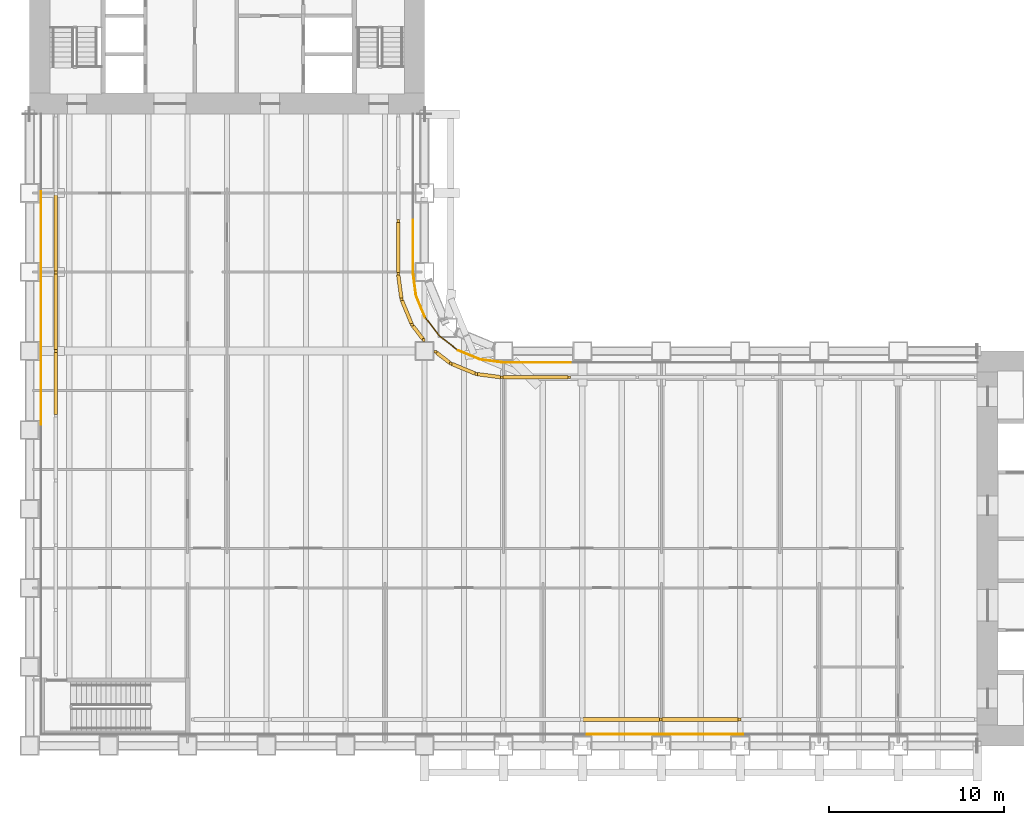
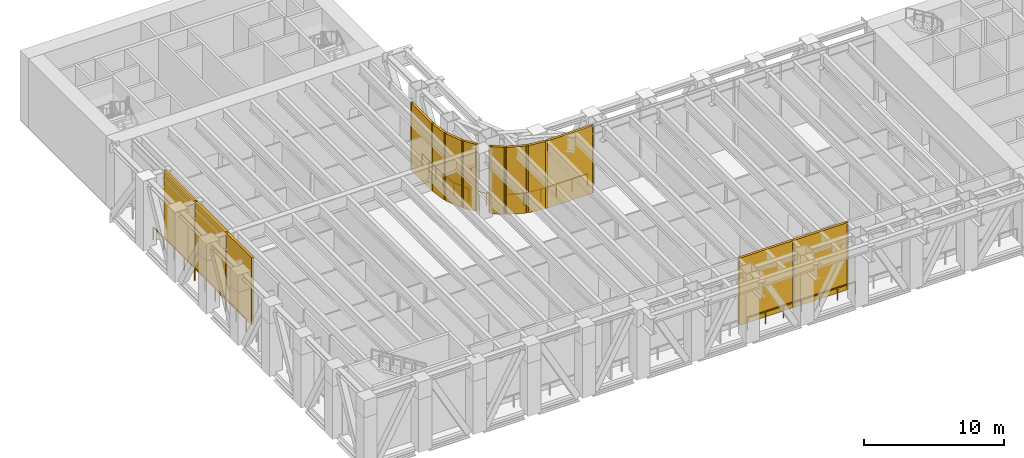
# One storey, part 15 of 19: 27 shading devices, 13 railings.
"""IFC4 building model written with IfcOpenShell, lengths in metres."""

from ifc_helpers import new_model, si_unit, direction, frame, origin, origin_2d, place, context, subcontext, project, spatial, rectangle, extrude, material, layer, layer_set, type_object, element, save


model = new_model("IFC4")

# Units and contexts
model_context = context("Model", 3, precision=1e-05, world=origin(), true_north=direction((0.0, 1.0)))
body_context = subcontext(model_context, "Body", "Model", "MODEL_VIEW")
ifc_project = project(units=[si_unit("LENGTHUNIT", "METRE"), si_unit("AREAUNIT", "SQUARE_METRE"), si_unit("VOLUMEUNIT", "CUBIC_METRE"), si_unit("PLANEANGLEUNIT", "RADIAN"), si_unit("MASSUNIT", "GRAM", prefix="KILO")], contexts=[model_context])

# Site, building, storey
site_placement = place(None, origin())
site = spatial("IfcSite", under=ifc_project, at=site_placement, CompositionType="ELEMENT")
building_placement = place(site_placement, origin())
building = spatial("IfcBuilding", under=site, at=building_placement, Name="Sennacour Bend Tower", CompositionType="ELEMENT")
storey_placement = place(building_placement, frame((0.0, 0.0, 77.0)))
storey = spatial("IfcBuildingStorey", under=building, at=storey_placement, Name="L17", CompositionType="ELEMENT", Elevation=77.0)

# Railings
ifc_material_1 = material(Name="Stainless steel 316", Category="steel")
railing_type = type_object("IfcRailingType", Name="GUARD 1100", PredefinedType="GUARDRAIL", material=ifc_material_1)
railing_1_placement = place(storey_placement, frame((21.85009765625, 29.97119140625, 0.0)))
element("IfcRailing", 1, at=railing_1_placement, inside=storey, type_object=railing_type, Name="Guard L17", PredefinedType="GUARDRAIL", context=body_context, shape_type="SweptSolid", body=[
    extrude(rectangle(XDim=0.048095703125, YDim=0.048095703125, at=origin_2d()), frame((0.0, 0.0, 1.076171875), z_axis=(0.0, -1.0, 0.0), x_axis=(1.0, 0.0, 0.0)), (0.0, 0.0, 1.0), 3.013671875),
    extrude(rectangle(XDim=0.0419921875, YDim=0.0419921875, at=origin_2d()), origin(), (0.0, 0.0, 1.0), 1.052001953125),
    extrude(rectangle(XDim=0.0419921875, YDim=0.0419921875, at=origin_2d()), frame((0.0, -1.004638671875, 0.0)), (0.0, 0.0, 1.0), 1.052001953125),
    extrude(rectangle(XDim=0.0419921875, YDim=0.0419921875, at=origin_2d()), frame((0.0, -2.009033203125, 0.0)), (0.0, 0.0, 1.0), 1.052001953125),
    extrude(rectangle(XDim=0.0419921875, YDim=0.0419921875, at=origin_2d()), frame((0.0, -3.013671875, 0.0)), (0.0, 0.0, 1.0), 1.052001953125),
])
railing_2_placement = place(storey_placement, frame((21.85009765625, 26.95751953125, 0.0)))
element("IfcRailing", 2, at=railing_2_placement, inside=storey, type_object=railing_type, Name="Guard L17", PredefinedType="GUARDRAIL", context=body_context, shape_type="SweptSolid", body=[
    extrude(rectangle(XDim=0.048095703125, YDim=0.048095703125, at=origin_2d()), frame((0.0, 0.0, 1.076171875), z_axis=(0.130396355713, -0.991461946026, 0.0), x_axis=(0.991461946026, 0.130396355713, 0.0)), (0.0, 0.0, 1.0), 1.30322265625),
    extrude(rectangle(XDim=0.0419921875, YDim=0.0419921875, at=origin_2d()), origin(), (0.0, 0.0, 1.0), 1.052001953125),
    extrude(rectangle(XDim=0.0419921875, YDim=0.0419921875, at=origin_2d()), frame((0.169921875, -1.2919921875, 0.0)), (0.0, 0.0, 1.0), 1.052001953125),
])
railing_3_placement = place(storey_placement, frame((22.02001953125, 25.66552734375, 0.0)))
element("IfcRailing", 3, at=railing_3_placement, inside=storey, type_object=railing_type, Name="Guard L17", PredefinedType="GUARDRAIL", context=body_context, shape_type="SweptSolid", body=[
    extrude(rectangle(XDim=0.048095703125, YDim=0.048095703125, at=origin_2d()), frame((0.0, 0.0, 1.076171875), z_axis=(0.382746963077, -0.923853214669, 0.0), x_axis=(0.923853214669, 0.382746963077, 0.0)), (0.0, 0.0, 1.0), 1.345947265625),
    extrude(rectangle(XDim=0.0419921875, YDim=0.0419921875, at=origin_2d()), origin(), (0.0, 0.0, 1.0), 1.052001953125),
    extrude(rectangle(XDim=0.0419921875, YDim=0.0419921875, at=origin_2d()), frame((0.51513671875, -1.243408203125, 0.0)), (0.0, 0.0, 1.0), 1.052001953125),
])
railing_4_placement = place(storey_placement, frame((22.53515625, 24.422119140625, 0.0)))
element("IfcRailing", 4, at=railing_4_placement, inside=storey, type_object=railing_type, Name="Guard L17", PredefinedType="GUARDRAIL", context=body_context, shape_type="SweptSolid", body=[
    extrude(rectangle(XDim=0.048095703125, YDim=0.048095703125, at=origin_2d()), frame((0.0, 0.0, 1.076171875), z_axis=(0.608816130036, -0.793311363721, 0.0), x_axis=(0.793311363721, 0.608816130036, 0.0)), (0.0, 0.0, 1.0), 1.345703125),
    extrude(rectangle(XDim=0.0419921875, YDim=0.0419921875, at=origin_2d()), origin(), (0.0, 0.0, 1.0), 1.052001953125),
    extrude(rectangle(XDim=0.0419921875, YDim=0.0419921875, at=origin_2d()), frame((0.8193359375, -1.067626953125, 0.0)), (0.0, 0.0, 1.0), 1.052001953125),
])
railing_5_placement = place(storey_placement, frame((23.3544921875, 23.3544921875, 0.0)))
element("IfcRailing", 5, at=railing_5_placement, inside=storey, type_object=railing_type, Name="Guard L17", PredefinedType="GUARDRAIL", context=body_context, shape_type="SweptSolid", body=[
    extrude(rectangle(XDim=0.048095703125, YDim=0.048095703125, at=origin_2d()), frame((0.0, 0.0, 1.076171875), z_axis=(0.793311363721, -0.608816130036, 0.0), x_axis=(0.608816130036, 0.793311363721, 0.0)), (0.0, 0.0, 1.0), 1.345703125),
    extrude(rectangle(XDim=0.0419921875, YDim=0.0419921875, at=origin_2d()), origin(), (0.0, 0.0, 1.0), 1.052001953125),
    extrude(rectangle(XDim=0.0419921875, YDim=0.0419921875, at=origin_2d()), frame((1.067626953125, -0.8193359375, 0.0)), (0.0, 0.0, 1.0), 1.052001953125),
])
railing_6_placement = place(storey_placement, frame((24.422119140625, 22.53515625, 0.0)))
element("IfcRailing", 6, at=railing_6_placement, inside=storey, type_object=railing_type, Name="Guard L17", PredefinedType="GUARDRAIL", context=body_context, shape_type="SweptSolid", body=[
    extrude(rectangle(XDim=0.048095703125, YDim=0.048095703125, at=origin_2d()), frame((0.0, 0.0, 1.076171875), z_axis=(0.923853214669, -0.382746963077, 0.0), x_axis=(0.382746963077, 0.923853214669, 0.0)), (0.0, 0.0, 1.0), 1.345947265625),
    extrude(rectangle(XDim=0.0419921875, YDim=0.0419921875, at=origin_2d()), origin(), (0.0, 0.0, 1.0), 1.052001953125),
    extrude(rectangle(XDim=0.0419921875, YDim=0.0419921875, at=origin_2d()), frame((1.243408203125, -0.51513671875, 0.0)), (0.0, 0.0, 1.0), 1.052001953125),
])
railing_7_placement = place(storey_placement, frame((25.66552734375, 22.02001953125, 0.0)))
element("IfcRailing", 7, at=railing_7_placement, inside=storey, type_object=railing_type, Name="Guard L17", PredefinedType="GUARDRAIL", context=body_context, shape_type="SweptSolid", body=[
    extrude(rectangle(XDim=0.048095703125, YDim=0.048095703125, at=origin_2d()), frame((0.0, 0.0, 1.076171875), z_axis=(0.991461946026, -0.130396355713, 0.0), x_axis=(0.130396355713, 0.991461946026, 0.0)), (0.0, 0.0, 1.0), 1.30322265625),
    extrude(rectangle(XDim=0.0419921875, YDim=0.0419921875, at=origin_2d()), origin(), (0.0, 0.0, 1.0), 1.052001953125),
    extrude(rectangle(XDim=0.0419921875, YDim=0.0419921875, at=origin_2d()), frame((1.2919921875, -0.169921875, 0.0)), (0.0, 0.0, 1.0), 1.052001953125),
])
railing_8_placement = place(storey_placement, frame((26.95751953125, 21.85009765625, 0.0)))
element("IfcRailing", 8, at=railing_8_placement, inside=storey, type_object=railing_type, Name="Guard L17", PredefinedType="GUARDRAIL", context=body_context, shape_type="SweptSolid", body=[
    extrude(rectangle(XDim=0.048095703125, YDim=0.048095703125, at=origin_2d()), frame((0.0, 0.0, 1.076171875), z_axis=(1.0, 0.0, 0.0), x_axis=(0.0, 1.0, 0.0)), (0.0, 0.0, 1.0), 3.863037109375),
    extrude(rectangle(XDim=0.0419921875, YDim=0.0419921875, at=origin_2d()), origin(), (0.0, 0.0, 1.0), 1.052001953125),
    extrude(rectangle(XDim=0.0419921875, YDim=0.0419921875, at=origin_2d()), frame((1.28759765625, 0.0, 0.0)), (0.0, 0.0, 1.0), 1.052001953125),
    extrude(rectangle(XDim=0.0419921875, YDim=0.0419921875, at=origin_2d()), frame((2.575439453125, 0.0, 0.0)), (0.0, 0.0, 1.0), 1.052001953125),
    extrude(rectangle(XDim=0.0419921875, YDim=0.0419921875, at=origin_2d()), frame((3.863037109375, 0.0, 0.0)), (0.0, 0.0, 1.0), 1.052001953125),
])
railing_9_placement = place(storey_placement, frame((40.66162109375, 0.64990234375, 0.0)))
element("IfcRailing", 9, at=railing_9_placement, inside=storey, type_object=railing_type, Name="Guard L17", PredefinedType="GUARDRAIL", context=body_context, shape_type="SweptSolid", body=[
    extrude(rectangle(XDim=0.048095703125, YDim=0.048095703125, at=origin_2d()), frame((0.0, 0.0, 1.076171875), z_axis=(-1.0, 0.0, 0.0), x_axis=(0.0, -1.0, 0.0)), (0.0, 0.0, 1.0), 4.445556640625),
    extrude(rectangle(XDim=0.0419921875, YDim=0.0419921875, at=origin_2d()), origin(), (0.0, 0.0, 1.0), 1.052001953125),
    extrude(rectangle(XDim=0.0419921875, YDim=0.0419921875, at=origin_2d()), frame((-1.48193359375, 0.0, 0.0)), (0.0, 0.0, 1.0), 1.052001953125),
    extrude(rectangle(XDim=0.0419921875, YDim=0.0419921875, at=origin_2d()), frame((-2.963623046875, 0.0, 0.0)), (0.0, 0.0, 1.0), 1.052001953125),
    extrude(rectangle(XDim=0.0419921875, YDim=0.0419921875, at=origin_2d()), frame((-4.445556640625, 0.0, 0.0)), (0.0, 0.0, 1.0), 1.052001953125),
])
railing_10_placement = place(storey_placement, frame((36.216064453125, 0.64990234375, 0.0)))
element("IfcRailing", 10, at=railing_10_placement, inside=storey, type_object=railing_type, Name="Guard L17", PredefinedType="GUARDRAIL", context=body_context, shape_type="SweptSolid", body=[
    extrude(rectangle(XDim=0.048095703125, YDim=0.048095703125, at=origin_2d()), frame((0.0, 0.0, 1.076171875), z_axis=(-1.0, 0.0, 0.0), x_axis=(0.0, -1.0, 0.0)), (0.0, 0.0, 1.0), 4.44580078125),
    extrude(rectangle(XDim=0.0419921875, YDim=0.0419921875, at=origin_2d()), origin(), (0.0, 0.0, 1.0), 1.052001953125),
    extrude(rectangle(XDim=0.0419921875, YDim=0.0419921875, at=origin_2d()), frame((-1.48193359375, 0.0, 0.0)), (0.0, 0.0, 1.0), 1.052001953125),
    extrude(rectangle(XDim=0.0419921875, YDim=0.0419921875, at=origin_2d()), frame((-2.9638671875, 0.0, 0.0)), (0.0, 0.0, 1.0), 1.052001953125),
    extrude(rectangle(XDim=0.0419921875, YDim=0.0419921875, at=origin_2d()), frame((-4.44580078125, 0.0, 0.0)), (0.0, 0.0, 1.0), 1.052001953125),
])
for number, where, name in (
    (11, (0.64990234375, 18.324462890625, 0.0), "Guard L17"),
    (12, (0.64990234375, 22.7431640625, 0.0), "Guard L17"),
):
    element("IfcRailing", number, at=place(storey_placement, frame(where)), inside=storey, type_object=railing_type, Name=name, PredefinedType="GUARDRAIL", context=body_context, shape_type="SweptSolid", body=[
        extrude(rectangle(XDim=0.048095703125, YDim=0.048095703125, at=origin_2d()), frame((0.0, 0.0, 1.076171875), z_axis=(0.0, 1.0, 0.0), x_axis=(-1.0, 0.0, 0.0)), (0.0, 0.0, 1.0), 4.418701171875),
        extrude(rectangle(XDim=0.0419921875, YDim=0.0419921875, at=origin_2d()), origin(), (0.0, 0.0, 1.0), 1.052001953125),
        extrude(rectangle(XDim=0.0419921875, YDim=0.0419921875, at=origin_2d()), frame((0.0, 1.472900390625, 0.0)), (0.0, 0.0, 1.0), 1.052001953125),
        extrude(rectangle(XDim=0.0419921875, YDim=0.0419921875, at=origin_2d()), frame((0.0, 2.94580078125, 0.0)), (0.0, 0.0, 1.0), 1.052001953125),
        extrude(rectangle(XDim=0.0419921875, YDim=0.0419921875, at=origin_2d()), frame((0.0, 4.418701171875, 0.0)), (0.0, 0.0, 1.0), 1.052001953125),
    ])
railing_11_placement = place(storey_placement, frame((0.64990234375, 27.161865234375, 0.0)))
element("IfcRailing", 13, at=railing_11_placement, inside=storey, type_object=railing_type, Name="Guard L17", PredefinedType="GUARDRAIL", context=body_context, shape_type="SweptSolid", body=[
    extrude(rectangle(XDim=0.048095703125, YDim=0.048095703125, at=origin_2d()), frame((0.0, 0.0, 1.076171875), z_axis=(0.0, 1.0, 0.0), x_axis=(-1.0, 0.0, 0.0)), (0.0, 0.0, 1.0), 4.41845703125),
    extrude(rectangle(XDim=0.0419921875, YDim=0.0419921875, at=origin_2d()), origin(), (0.0, 0.0, 1.0), 1.052001953125),
    extrude(rectangle(XDim=0.0419921875, YDim=0.0419921875, at=origin_2d()), frame((0.0, 1.472900390625, 0.0)), (0.0, 0.0, 1.0), 1.052001953125),
    extrude(rectangle(XDim=0.0419921875, YDim=0.0419921875, at=origin_2d()), frame((0.0, 2.945556640625, 0.0)), (0.0, 0.0, 1.0), 1.052001953125),
    extrude(rectangle(XDim=0.0419921875, YDim=0.0419921875, at=origin_2d()), frame((0.0, 4.41845703125, 0.0)), (0.0, 0.0, 1.0), 1.052001953125),
])

# Shading devices
ifc_material_2 = material(Name="Dark bronze anodised aluminium louvre", Category="aluminium")
ifc_layer = layer(ifc_material_2, 0.199951171875, Name="Dark bronze anodised aluminium louvre", Category="aluminium")
ifc_layer_set = layer_set([ifc_layer], Name="Dark bronze anodised aluminium louvre")
shading_device_type_1 = type_object("IfcShadingDeviceType", Name="LOUVRE BANK 200", PredefinedType="USERDEFINED", material=ifc_layer_set)
shading_device_1_placement = place(storey_placement, frame((21.0, 28.405517578125, 0.0), z_axis=(0.0, 0.0, 1.0), x_axis=(0.0, -1.0, 0.0)))
element("IfcShadingDevice", 14, at=shading_device_1_placement, inside=storey, type_object=shading_device_type_1, Name="Louvre bank L17", ObjectType="LOUVRE", PredefinedType="USERDEFINED", context=body_context, shape_type="SweptSolid", body=[
    extrude(rectangle(XDim=2.867431640625, YDim=0.199951171875, at=origin_2d()), origin(), (0.0, 0.0, 1.0), 5.85009765625),
])
shading_device_2_placement = place(storey_placement, frame((21.095947265625, 26.172607421875, 0.0), z_axis=(0.0, 0.0, 1.0), x_axis=(0.130493314592, -0.991449189241, 0.0)))
element("IfcShadingDevice", 15, at=shading_device_2_placement, inside=storey, type_object=shading_device_type_1, Name="Louvre bank L17", ObjectType="LOUVRE", PredefinedType="USERDEFINED", context=body_context, shape_type="SweptSolid", body=[
    extrude(rectangle(XDim=1.33056640625, YDim=0.199951171875, at=origin_2d()), origin(), (0.0, 0.0, 1.0), 5.85009765625),
])
shading_device_3_placement = place(storey_placement, frame((21.4921875, 24.718505859375, 0.0), z_axis=(0.0, 0.0, 1.0), x_axis=(0.382688269782, -0.923877528773, 0.0)))
element("IfcShadingDevice", 16, at=shading_device_3_placement, inside=storey, type_object=shading_device_type_1, Name="Louvre bank L17", ObjectType="LOUVRE", PredefinedType="USERDEFINED", context=body_context, shape_type="SweptSolid", body=[
    extrude(rectangle(XDim=1.4296875, YDim=0.199951171875, at=origin_2d()), origin(), (0.0, 0.0, 1.0), 5.85009765625),
])
for number, where, z_axis, x_axis, name in (
    (17, (22.123779296875, 23.561767578125, 0.0), (0.0, 0.0, 1.0), (0.608780814106, -0.793338465207, 0.0), "Louvre bank L17"),
    (18, (23.561767578125, 22.123779296875, 0.0), (0.0, 0.0, 1.0), (0.793338465207, -0.608780814106, 0.0), "Louvre bank L17"),
):
    element("IfcShadingDevice", number, at=place(storey_placement, frame(where, z_axis=z_axis, x_axis=x_axis)), inside=storey, type_object=shading_device_type_1, Name=name, ObjectType="LOUVRE", PredefinedType="USERDEFINED", context=body_context, shape_type="SweptSolid", body=[
        extrude(rectangle(XDim=0.948486328125, YDim=0.199951171875, at=origin_2d()), origin(), (0.0, 0.0, 1.0), 5.85009765625),
    ])
shading_device_4_placement = place(storey_placement, frame((24.718505859375, 21.4921875, 0.0), z_axis=(0.0, 0.0, 1.0), x_axis=(0.923877528773, -0.382688269782, 0.0)))
element("IfcShadingDevice", 19, at=shading_device_4_placement, inside=storey, type_object=shading_device_type_1, Name="Louvre bank L17", ObjectType="LOUVRE", PredefinedType="USERDEFINED", context=body_context, shape_type="SweptSolid", body=[
    extrude(rectangle(XDim=1.4296875, YDim=0.199951171875, at=origin_2d()), origin(), (0.0, 0.0, 1.0), 5.85009765625),
])
shading_device_5_placement = place(storey_placement, frame((26.172607421875, 21.095947265625, 0.0), z_axis=(0.0, 0.0, 1.0), x_axis=(0.991449189241, -0.130493314592, 0.0)))
element("IfcShadingDevice", 20, at=shading_device_5_placement, inside=storey, type_object=shading_device_type_1, Name="Louvre bank L17", ObjectType="LOUVRE", PredefinedType="USERDEFINED", context=body_context, shape_type="SweptSolid", body=[
    extrude(rectangle(XDim=1.33056640625, YDim=0.199951171875, at=origin_2d()), origin(), (0.0, 0.0, 1.0), 5.85009765625),
])
shading_device_6_placement = place(storey_placement, frame((28.831787109375, 21.0, 0.0), z_axis=(0.0, 0.0, 1.0), x_axis=(1.0, 0.0, 0.0)))
element("IfcShadingDevice", 21, at=shading_device_6_placement, inside=storey, type_object=shading_device_type_1, Name="Louvre bank L17", ObjectType="LOUVRE", PredefinedType="USERDEFINED", context=body_context, shape_type="SweptSolid", body=[
    extrude(rectangle(XDim=3.72021484375, YDim=0.199951171875, at=origin_2d()), origin(), (0.0, 0.0, 1.0), 5.85009765625),
])
for number, where, z_axis, x_axis, name in (
    (22, (38.2119140625, 1.5, 0.0), (0.0, 0.0, 1.0), (-1.0, 0.0, 0.0), "Louvre bank L17"),
    (23, (33.722900390625, 1.5, 0.0), (0.0, 0.0, 1.0), (-1.0, 0.0, 0.0), "Louvre bank L17"),
):
    element("IfcShadingDevice", number, at=place(storey_placement, frame(where, z_axis=z_axis, x_axis=x_axis)), inside=storey, type_object=shading_device_type_1, Name=name, ObjectType="LOUVRE", PredefinedType="USERDEFINED", context=body_context, shape_type="SweptSolid", body=[
        extrude(rectangle(XDim=4.34912109375, YDim=0.199951171875, at=origin_2d()), origin(), (0.0, 0.0, 1.0), 5.85009765625),
    ])
shading_device_7_placement = place(storey_placement, frame((1.5, 20.655029296875, 0.0), z_axis=(0.0, 0.0, 1.0), x_axis=(0.0, 1.0, 0.0)))
element("IfcShadingDevice", 24, at=shading_device_7_placement, inside=storey, type_object=shading_device_type_1, Name="Louvre bank L17", ObjectType="LOUVRE", PredefinedType="USERDEFINED", context=body_context, shape_type="SweptSolid", body=[
    extrude(rectangle(XDim=3.550048828125, YDim=0.199951171875, at=origin_2d()), origin(), (0.0, 0.0, 1.0), 5.85009765625),
])
for number, where, z_axis, x_axis, name in (
    (25, (1.5, 24.7373046875, 0.0), (0.0, 0.0, 1.0), (0.0, 1.0, 0.0), "Louvre bank L17"),
    (26, (1.5, 29.2119140625, 0.0), (0.0, 0.0, 1.0), (0.0, 1.0, 0.0), "Louvre bank L17"),
):
    element("IfcShadingDevice", number, at=place(storey_placement, frame(where, z_axis=z_axis, x_axis=x_axis)), inside=storey, type_object=shading_device_type_1, Name=name, ObjectType="LOUVRE", PredefinedType="USERDEFINED", context=body_context, shape_type="SweptSolid", body=[
        extrude(rectangle(XDim=4.334716796875, YDim=0.199951171875, at=origin_2d()), origin(), (0.0, 0.0, 1.0), 5.85009765625),
    ])
shading_device_type_2 = type_object("IfcShadingDeviceType", Name="LOUVRE WALL POST 150", PredefinedType="USERDEFINED", material=ifc_material_2)
for number, where, z_axis, x_axis, name in (
    (27, (21.0, 29.9091796875, 0.0), (0.0, 0.0, 1.0), (1.0, 0.0, 0.0), "Louvre wall post L17"),
    (28, (21.0, 26.901611328125, 0.0), (0.0, 0.0, 1.0), (1.0, 0.0, 0.0), "Louvre wall post L17"),
    (29, (21.19189453125, 25.443603515625, 0.0), (0.0, 0.0, 1.0), (1.0, 0.0, 0.0), "Louvre wall post L17"),
    (30, (21.79248046875, 23.993408203125, 0.0), (0.0, 0.0, 1.0), (1.0, 0.0, 0.0), "Louvre wall post L17"),
    (31, (22.455078125, 23.1298828125, 0.0), (0.0, 0.0, 1.0), (1.0, 0.0, 0.0), "Louvre wall post L17"),
    (32, (23.1298828125, 22.455078125, 0.0), (0.0, 0.0, 1.0), (1.0, 0.0, 0.0), "Louvre wall post L17"),
    (33, (23.993408203125, 21.79248046875, 0.0), (0.0, 0.0, 1.0), (1.0, 0.0, 0.0), "Louvre wall post L17"),
    (34, (25.443603515625, 21.19189453125, 0.0), (0.0, 0.0, 1.0), (1.0, 0.0, 0.0), "Louvre wall post L17"),
    (35, (26.901611328125, 21.0, 0.0), (0.0, 0.0, 1.0), (1.0, 0.0, 0.0), "Louvre wall post L17"),
    (36, (30.761962890625, 21.0, 0.0), (0.0, 0.0, 1.0), (1.0, 0.0, 0.0), "Louvre wall post L17"),
    (37, (40.45654296875, 1.5, 0.0), (0.0, 0.0, 1.0), (1.0, 0.0, 0.0), "Louvre wall post L17"),
    (38, (35.96728515625, 1.5, 0.0), (0.0, 0.0, 1.0), (1.0, 0.0, 0.0), "Louvre wall post L17"),
    (39, (1.5, 22.5, 0.0), (0.0, 0.0, 1.0), (1.0, 0.0, 0.0), "Louvre wall post L17"),
    (40, (1.5, 26.974609375, 0.0), (0.0, 0.0, 1.0), (1.0, 0.0, 0.0), "Louvre wall post L17"),
):
    element("IfcShadingDevice", number, at=place(storey_placement, frame(where, z_axis=z_axis, x_axis=x_axis)), inside=storey, type_object=shading_device_type_2, Name=name, ObjectType="LOUVRE", PredefinedType="USERDEFINED", context=body_context, shape_type="SweptSolid", body=[
        extrude(rectangle(XDim=0.14990234375, YDim=0.14990234375, at=origin_2d()), origin(), (0.0, 0.0, 1.0), 5.85009765625),
    ])

save(model, "model.ifc")
